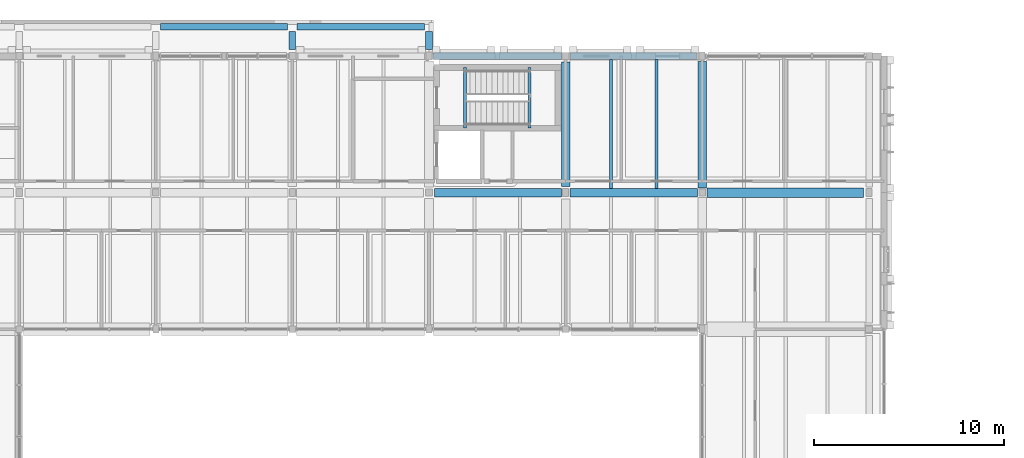
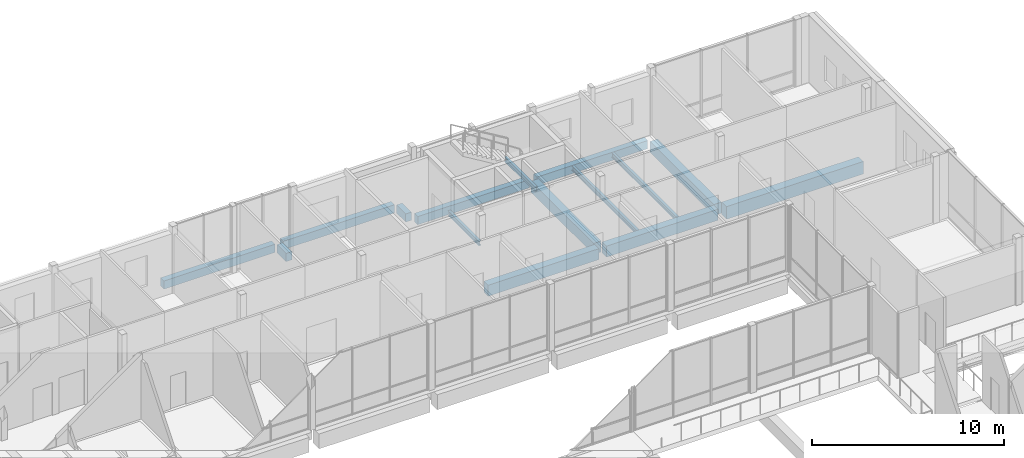
# One storey, part 54 of 146: 15 beams.
"""IFC4 building model written with IfcOpenShell, lengths in metres."""

import ifcopenshell
import ifcopenshell.guid

model = None  # the IFC model being written
_history = None  # IfcOwnerHistory: only IFC2X3 demands one
_inside = {}  # id of a spatial element -> (the spatial element, [elements in it])
_under = {}  # id of a project, library or spatial element -> (it, [spatial elements below it])
_declared = {}  # id of a project -> (the project, [libraries it declares])
_typed = {}  # id of a type object -> (the type object, [elements of that type])
_made_of = {}  # id of a material, layer set ... -> (it, [elements and type objects made of it])


def new_model(schema):
    """Start an empty IFC model of exactly this schema.

    Asked for "IFC4X3", IfcOpenShell would pick the latest addendum, in which some entities
    have other attributes; the version numbers below select the first issue.
    IFC2X3 requires an IfcOwnerHistory on every rooted entity: one is made here for all.
    """
    global model, _history
    if schema == "IFC4X3":
        model = ifcopenshell.file(schema_version=(4, 3, 0, 0))
    else:
        model = ifcopenshell.file(schema=schema)
    _inside.clear()
    _under.clear()
    _declared.clear()
    _typed.clear()
    _made_of.clear()
    _history = None
    if model.schema == "IFC2X3":
        org = make("IfcOrganization", Name="unknown")
        user = make(
            "IfcPersonAndOrganization",
            ThePerson=make("IfcPerson", FamilyName="unknown"),
            TheOrganization=org,
        )
        app = make(
            "IfcApplication",
            ApplicationDeveloper=org,
            Version="unknown",
            ApplicationFullName="unknown",
            ApplicationIdentifier="unknown",
        )
        _history = make(
            "IfcOwnerHistory",
            OwningUser=user,
            OwningApplication=app,
            ChangeAction="ADDED",
            CreationDate=0,
        )
    return model


def make(cls, **values):
    """One entity of the class cls with the attributes given. An attribute that is None is left unset."""
    return model.create_entity(
        cls, **{name: value for name, value in values.items() if value is not None}
    )


def rooted(cls, **values):
    """An entity with a GlobalId (a new one), such as an element, a storey or a relation."""
    return make(cls, GlobalId=ifcopenshell.guid.new(), OwnerHistory=_history, **values)


def si_unit(unit_type, name, prefix=None):
    """IfcSIUnit, for example si_unit("LENGTHUNIT", "METRE", prefix="MILLI")."""
    return make("IfcSIUnit", UnitType=unit_type, Prefix=prefix, Name=name)


def assignment(units):
    """IfcUnitAssignment: the units of a project."""
    return None if units is None else make("IfcUnitAssignment", Units=units)


def point(xyz):
    """IfcCartesianPoint."""
    return None if xyz is None else make("IfcCartesianPoint", Coordinates=xyz)


def direction(xyz):
    """IfcDirection."""
    return None if xyz is None else make("IfcDirection", DirectionRatios=xyz)


def frame(location, z_axis=None, x_axis=None):
    """IfcAxis2Placement3D, a coordinate frame: its origin and axes. An axis left out is left unset."""
    return make(
        "IfcAxis2Placement3D",
        Location=point(location),
        Axis=direction(z_axis),
        RefDirection=direction(x_axis),
    )


def frame_2d(location, x_axis=None):
    """IfcAxis2Placement2D, a coordinate frame in the plane: its origin and x axis."""
    return make(
        "IfcAxis2Placement2D", Location=point(location), RefDirection=direction(x_axis)
    )


def origin():
    """The frame at (0, 0, 0) with its axes left unset."""
    return frame((0.0, 0.0, 0.0))


def origin_2d():
    """The frame at (0, 0) in the plane with its x axis left unset."""
    return frame_2d((0.0, 0.0))


def place(relative_to, where):
    """IfcLocalPlacement: puts the frame where relative to a parent placement (None: the world)."""
    return make(
        "IfcLocalPlacement", PlacementRelTo=relative_to, RelativePlacement=where
    )


def context(
    kind, dimensions, precision=None, world=None, true_north=None, identifier=None
):
    """IfcGeometricRepresentationContext, for example the 3D "Model" context."""
    return make(
        "IfcGeometricRepresentationContext",
        ContextIdentifier=identifier,
        ContextType=kind,
        CoordinateSpaceDimension=dimensions,
        Precision=precision,
        WorldCoordinateSystem=world,
        TrueNorth=true_north,
    )


def subcontext(parent, identifier, kind, view, scale=None):
    """IfcGeometricRepresentationSubContext, for example "Body" below "Model"."""
    return make(
        "IfcGeometricRepresentationSubContext",
        ContextIdentifier=identifier,
        ContextType=kind,
        ParentContext=parent,
        TargetScale=scale,
        TargetView=view,
    )


def project(units=None, contexts=None):
    """IfcProject with its units and contexts."""
    return rooted(
        "IfcProject",
        Name="project",
        RepresentationContexts=contexts,
        UnitsInContext=assignment(units),
    )


def spatial(cls, under=None, at=None, **own):
    """A site, building, storey or space (cls), placed at a placement, below another one or the project."""
    s = rooted(cls, ObjectPlacement=at, **own)
    if under is not None:
        _under.setdefault(under.id(), (under, []))[1].append(s)
    return s


def profile(cls, at=None, kind="AREA", **sizes):
    """A parametric profile (cls). Its sizes go by their IFC names, for example OverallWidth=200.0."""
    return make(cls, ProfileType=kind, Position=at, **sizes)


def rectangle(**sizes):
    """IfcRectangleProfileDef."""
    return profile("IfcRectangleProfileDef", **sizes)


def i_section(**sizes):
    """IfcIShapeProfileDef."""
    return profile("IfcIShapeProfileDef", **sizes)


def extrude(swept, where, along, depth):
    """IfcExtrudedAreaSolid: the profile swept, set in the frame where, extruded along a direction by depth."""
    return make(
        "IfcExtrudedAreaSolid",
        SweptArea=swept,
        Position=where,
        ExtrudedDirection=direction(along),
        Depth=depth,
    )


def shape(context_of_items, identifier, shape_type, items):
    """IfcShapeRepresentation: the items that make up one representation, for example the "Body"."""
    return make(
        "IfcShapeRepresentation",
        ContextOfItems=context_of_items,
        RepresentationIdentifier=identifier,
        RepresentationType=shape_type,
        Items=items,
    )


def material(Name=None, Category=None):
    """IfcMaterial."""
    return make("IfcMaterial", Name=Name, Category=Category)


def material_profile(
    of_material, cross_section, Name=None, Category=None, Priority=None
):
    """IfcMaterialProfile: a cross section and its material."""
    return make(
        "IfcMaterialProfile",
        Name=Name,
        Material=of_material,
        Profile=cross_section,
        Priority=Priority,
        Category=Category,
    )


def profile_set(profiles, Name=None, composite=None):
    """IfcMaterialProfileSet."""
    return make(
        "IfcMaterialProfileSet",
        Name=Name,
        MaterialProfiles=profiles,
        CompositeProfile=composite,
    )


def made_of(thing, what):
    """Note that an element or type object is made of a material, layer set ...; save() writes the relation."""
    if what is not None:
        _made_of.setdefault(what.id(), (what, []))[1].append(thing)
    return thing


def type_object(cls, material=None, **own):
    """A type object (cls), such as IfcWallType, which elements share."""
    return made_of(rooted(cls, **own), material)


def element(
    cls,
    number,
    at=None,
    inside=None,
    cuts=None,
    type_object=None,
    material=None,
    context=None,
    identifier="Body",
    shape_type=None,
    held_by="IfcProductDefinitionShape",
    body=None,
    shapes=None,
    **own,
):
    """One element of the class cls, such as IfcWall. Its Tag is "e" and its number.

    at: its placement. inside: the storey or other place that contains it. cuts: it is an
    opening in that element (IfcRelVoidsElement). A single representation is given by context,
    identifier, shape_type and body (its items); several are given by shapes. held_by: the class
    of the entity that holds the representations. save() writes the other relations.
    """
    e = rooted(cls, Tag="e%d" % number, ObjectPlacement=at, **own)
    if body is not None:
        shapes = [shape(context, identifier, shape_type, body)]
    if shapes is not None:
        e.Representation = make(held_by, Representations=shapes)
    if inside is not None:
        _inside.setdefault(inside.id(), (inside, []))[1].append(e)
    if cuts is not None:
        rooted(
            "IfcRelVoidsElement", RelatingBuildingElement=cuts, RelatedOpeningElement=e
        )
    if type_object is not None:
        _typed.setdefault(type_object.id(), (type_object, []))[1].append(e)
    return made_of(e, material)


def aggregate(whole, parts):
    """IfcRelAggregates: a whole, such as a stair, and the parts it consists of."""
    return rooted("IfcRelAggregates", RelatingObject=whole, RelatedObjects=parts)


def save(model, path):
    """Write the relations noted so far, then the file.

    IfcRelAggregates (storeys below a building ...), IfcRelContainedInSpatialStructure (elements
    in a storey), IfcRelDefinesByType, IfcRelAssociatesMaterial and IfcRelDeclares: one each for
    every whole, place, type object, material and project.
    """
    for whole, parts in _under.values():
        aggregate(whole, parts)
    for where, things in _inside.values():
        rooted(
            "IfcRelContainedInSpatialStructure",
            RelatedElements=things,
            RelatingStructure=where,
        )
    for kind, things in _typed.values():
        rooted("IfcRelDefinesByType", RelatedObjects=things, RelatingType=kind)
    for what, things in _made_of.values():
        rooted("IfcRelAssociatesMaterial", RelatedObjects=things, RelatingMaterial=what)
    for by, libraries in _declared.values():
        rooted("IfcRelDeclares", RelatingContext=by, RelatedDefinitions=libraries)
    model.write(path)


model = new_model("IFC4")

# Units and contexts
model_context = context("Model", 3, precision=1e-05, world=origin(), true_north=direction((0.0, 1.0)))
body_context = subcontext(model_context, "Body", "Model", "MODEL_VIEW")
ifc_project = project(units=[si_unit("LENGTHUNIT", "METRE"), si_unit("AREAUNIT", "SQUARE_METRE"), si_unit("VOLUMEUNIT", "CUBIC_METRE"), si_unit("PLANEANGLEUNIT", "RADIAN"), si_unit("MASSUNIT", "GRAM", prefix="KILO")], contexts=[model_context])

# Site, building, storey
site_placement = place(None, origin())
site = spatial("IfcSite", under=ifc_project, at=site_placement, CompositionType="ELEMENT")
building_placement = place(site_placement, origin())
building = spatial("IfcBuilding", under=site, at=building_placement, Name="Hawrajan Terrace Health Centre", CompositionType="ELEMENT")
storey_placement = place(building_placement, frame((0.0, 0.0, 4.5)))
storey = spatial("IfcBuildingStorey", under=building, at=storey_placement, Name="L01", CompositionType="ELEMENT", Elevation=4.5)

# Beams
ifc_material_1 = material(Name="Concrete C40/50", Category="concrete")
ifc_material_profile_1 = material_profile(ifc_material_1, rectangle(XDim=0.449951171875, YDim=0.699951171875, at=origin_2d()), Name="RC BM 450x700")
ifc_profile_set_1 = profile_set([ifc_material_profile_1], Name="Concrete C40/50")
beam_type_1 = type_object("IfcBeamType", Name="RCGirder_450x700", PredefinedType="BEAM", material=ifc_profile_set_1)
beam_1_placement = place(storey_placement, frame((48.10009765625, 52.60009765625, -0.64990234375), z_axis=(1.0, 0.0, 0.0), x_axis=(0.0, 1.0, 0.0)))
element("IfcBeam", 1, at=beam_1_placement, inside=storey, type_object=beam_type_1, Name="Beam BM-X-L01-W-07-Y7", PredefinedType="BEAM", context=body_context, shape_type="SweptSolid", body=[
    extrude(rectangle(XDim=0.449951171875, YDim=0.699951171875, at=origin_2d()), origin(), (0.0, 0.0, 1.0), 6.6748046875),
])
beam_2_placement = place(storey_placement, frame((55.22509765625, 52.60009765625, -0.64990234375), z_axis=(1.0, 0.0, 0.0), x_axis=(0.0, 1.0, 0.0)))
element("IfcBeam", 2, at=beam_2_placement, inside=storey, type_object=beam_type_1, Name="Beam BM-X-L01-W-08-Y7", PredefinedType="BEAM", context=body_context, shape_type="SweptSolid", body=[
    extrude(rectangle(XDim=0.449951171875, YDim=0.699951171875, at=origin_2d()), origin(), (0.0, 0.0, 1.0), 6.724853515625),
])
beam_3_placement = place(storey_placement, frame((55.0, 52.925048828125, -0.64990234375), z_axis=(0.0, 1.0, 0.0), x_axis=(-1.0, 0.0, 0.0)))
element("IfcBeam", 3, at=beam_3_placement, inside=storey, type_object=beam_type_1, Name="Beam BM-Y-L01-W-X08-7", PredefinedType="BEAM", context=body_context, shape_type="SweptSolid", body=[
    extrude(rectangle(XDim=0.449951171875, YDim=0.699951171875, at=origin_2d()), origin(), (0.0, 0.0, 1.0), 6.550048828125),
])
beam_4_placement = place(storey_placement, frame((62.199951171875, 52.85009765625, -0.64990234375), z_axis=(0.0, 1.0, 0.0), x_axis=(-1.0, 0.0, 0.0)))
element("IfcBeam", 4, at=beam_4_placement, inside=storey, type_object=beam_type_1, Name="Beam BM-Y-L01-W-X09-7", PredefinedType="BEAM", context=body_context, shape_type="SweptSolid", body=[
    extrude(rectangle(XDim=0.449951171875, YDim=0.699951171875, at=origin_2d()), origin(), (0.0, 0.0, 1.0), 6.64990234375),
])
ifc_material_profile_2 = material_profile(ifc_material_1, rectangle(XDim=0.5, YDim=0.800048828125, at=origin_2d()), Name="RC BM 500x800")
ifc_profile_set_2 = profile_set([ifc_material_profile_2], Name="Concrete C40/50")
beam_type_2 = type_object("IfcBeamType", Name="RCGirder_500x800", PredefinedType="BEAM", material=ifc_profile_set_2)
beam_5_placement = place(storey_placement, frame((62.449951171875, 52.60009765625, -0.699951171875), z_axis=(1.0, 0.0, 0.0), x_axis=(0.0, 1.0, 0.0)))
element("IfcBeam", 5, at=beam_5_placement, inside=storey, type_object=beam_type_2, Name="Beam BM-X-L01-W-09-Y7", PredefinedType="BEAM", context=body_context, shape_type="SweptSolid", body=[
    extrude(rectangle(XDim=0.5, YDim=0.800048828125, at=origin_2d()), origin(), (0.0, 0.0, 1.0), 8.25),
])
ifc_material_profile_3 = material_profile(ifc_material_1, rectangle(XDim=0.35009765625, YDim=0.52001953125, at=origin_2d()), Name="RC SP 350x520")
ifc_profile_set_3 = profile_set([ifc_material_profile_3], Name="Concrete C40/50")
beam_type_3 = type_object("IfcBeamType", Name="RCSpandrel_350x520", PredefinedType="SPANDREL", material=ifc_profile_set_3)
beam_6_placement = place(storey_placement, frame((48.050048828125, 59.800048828125, -0.56005859375), z_axis=(1.0, 0.0, 0.0), x_axis=(0.0, 1.0, 0.0)))
element("IfcBeam", 6, at=beam_6_placement, inside=storey, type_object=beam_type_3, Name="Beam BM-X-L01-W-07-Y8", PredefinedType="SPANDREL", context=body_context, shape_type="SweptSolid", body=[
    extrude(rectangle(XDim=0.35009765625, YDim=0.52001953125, at=origin_2d()), origin(), (0.0, 0.0, 1.0), 6.724853515625),
])
beam_7_placement = place(storey_placement, frame((55.22509765625, 59.800048828125, -0.56005859375), z_axis=(1.0, 0.0, 0.0), x_axis=(0.0, 1.0, 0.0)))
element("IfcBeam", 7, at=beam_7_placement, inside=storey, type_object=beam_type_3, Name="Beam BM-X-L01-W-08-Y8", PredefinedType="SPANDREL", context=body_context, shape_type="SweptSolid", body=[
    extrude(rectangle(XDim=0.35009765625, YDim=0.52001953125, at=origin_2d()), origin(), (0.0, 0.0, 1.0), 6.6748046875),
])
for number, where, z_axis, x_axis, name in (
    (8, (40.60009765625, 60.14990234375, -0.56005859375), (0.0, 1.0, 0.0), (-1.0, 0.0, 0.0), "North colonnade cross beam 4"),
    (9, (47.800048828125, 60.14990234375, -0.56005859375), (0.0, 1.0, 0.0), (-1.0, 0.0, 0.0), "North colonnade cross beam 5"),
):
    element("IfcBeam", number, at=place(storey_placement, frame(where, z_axis=z_axis, x_axis=x_axis)), inside=storey, type_object=beam_type_3, Name=name, PredefinedType="SPANDREL", context=body_context, shape_type="SweptSolid", body=[
        extrude(rectangle(XDim=0.35009765625, YDim=0.52001953125, at=origin_2d()), origin(), (0.0, 0.0, 1.0), 0.9501953125),
    ])
beam_8_placement = place(storey_placement, frame((33.64990234375, 61.35009765625, -0.56005859375), z_axis=(1.0, 0.0, 0.0), x_axis=(0.0, 1.0, 0.0)))
element("IfcBeam", 10, at=beam_8_placement, inside=storey, type_object=beam_type_3, Name="North colonnade entablature beam", PredefinedType="SPANDREL", context=body_context, shape_type="SweptSolid", body=[
    extrude(rectangle(XDim=0.35009765625, YDim=0.52001953125, at=origin_2d()), origin(), (0.0, 0.0, 1.0), 6.7001953125),
])
beam_9_placement = place(storey_placement, frame((40.85009765625, 61.35009765625, -0.56005859375), z_axis=(1.0, 0.0, 0.0), x_axis=(0.0, 1.0, 0.0)))
element("IfcBeam", 11, at=beam_9_placement, inside=storey, type_object=beam_type_3, Name="North colonnade entablature beam", PredefinedType="SPANDREL", context=body_context, shape_type="SweptSolid", body=[
    extrude(rectangle(XDim=0.35009765625, YDim=0.52001953125, at=origin_2d()), origin(), (0.0, 0.0, 1.0), 6.699951171875),
])
ifc_material_2 = material(Name="Steel S355", Category="steel")
ifc_material_profile_4 = material_profile(ifc_material_2, i_section(OverallWidth=0.14990234375, OverallDepth=0.300048828125, WebThickness=0.007080078125, FlangeThickness=0.0107421875, FilletRadius=0.014892578125, at=origin_2d()), Name="IPE 300")
ifc_profile_set_4 = profile_set([ifc_material_profile_4], Name="Steel S355")
beam_type_4 = type_object("IfcBeamType", Name="SteelBeam_IPE300", PredefinedType="JOIST", material=ifc_profile_set_4)
for number, where, z_axis, x_axis, name in (
    (12, (57.39990234375, 52.824951171875, -0.449951171875), (0.0, 1.0, 0.0), (-1.0, 0.0, 0.0), "Secondary joist JST-L01-W-08-7-1"),
    (13, (59.800048828125, 52.824951171875, -0.449951171875), (0.0, 1.0, 0.0), (-1.0, 0.0, 0.0), "Secondary joist JST-L01-W-08-7-2"),
):
    element("IfcBeam", number, at=place(storey_placement, frame(where, z_axis=z_axis, x_axis=x_axis)), inside=storey, type_object=beam_type_4, Name=name, PredefinedType="JOIST", context=body_context, shape_type="SweptSolid", body=[
        extrude(i_section(OverallWidth=0.14990234375, OverallDepth=0.300048828125, WebThickness=0.007080078125, FlangeThickness=0.0107421875, FilletRadius=0.014892578125, at=origin_2d()), origin(), (0.0, 0.0, 1.0), 6.800048828125),
    ])
for number, where, z_axis, x_axis, name in (
    (14, (49.699951171875, 56.0, -0.3701171875), (0.0, 1.0, 0.0), (-1.0, 0.0, 0.0), "Stair landing trimmer ST-2-L01-B0"),
    (15, (53.10009765625, 56.0, 1.8798828125), (0.0, 1.0, 0.0), (-1.0, 0.0, 0.0), "Stair half-landing trimmer ST-2-L01-B1"),
):
    element("IfcBeam", number, at=place(storey_placement, frame(where, z_axis=z_axis, x_axis=x_axis)), inside=storey, type_object=beam_type_4, Name=name, PredefinedType="JOIST", context=body_context, shape_type="SweptSolid", body=[
        extrude(i_section(OverallWidth=0.14990234375, OverallDepth=0.300048828125, WebThickness=0.007080078125, FlangeThickness=0.0107421875, FilletRadius=0.014892578125, at=origin_2d()), origin(), (0.0, 0.0, 1.0), 3.199951171875),
    ])

save(model, "model.ifc")
